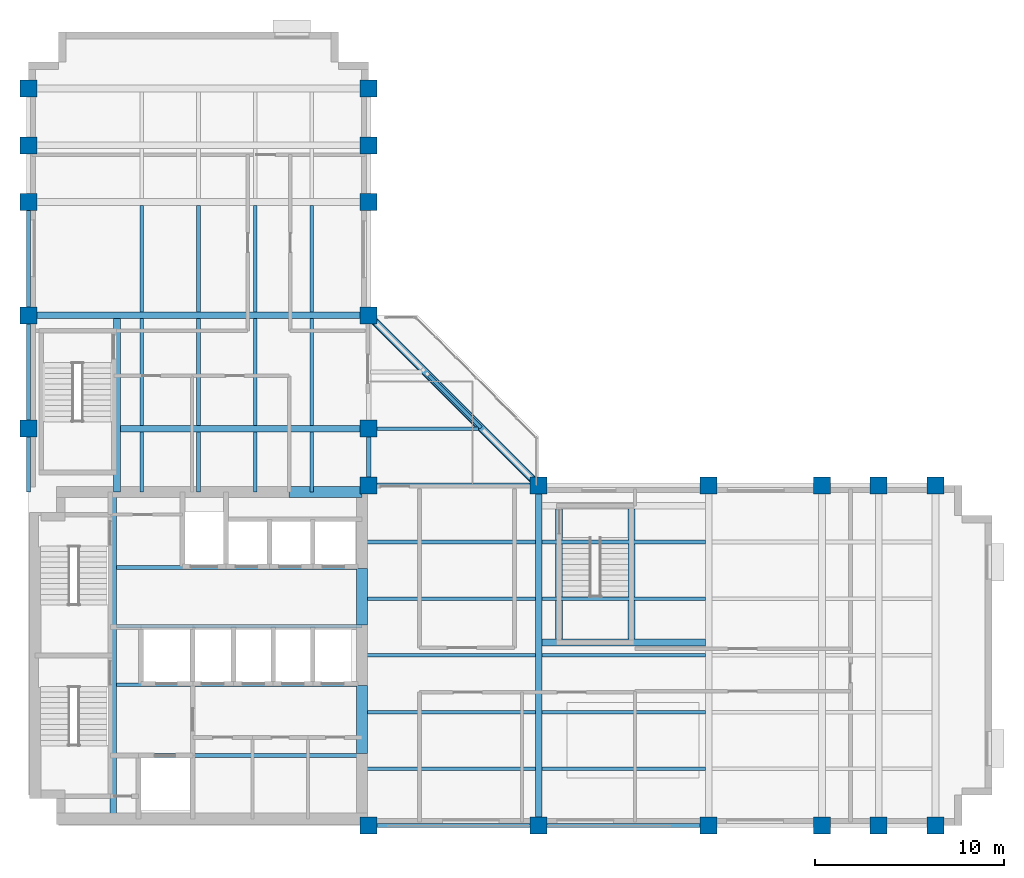
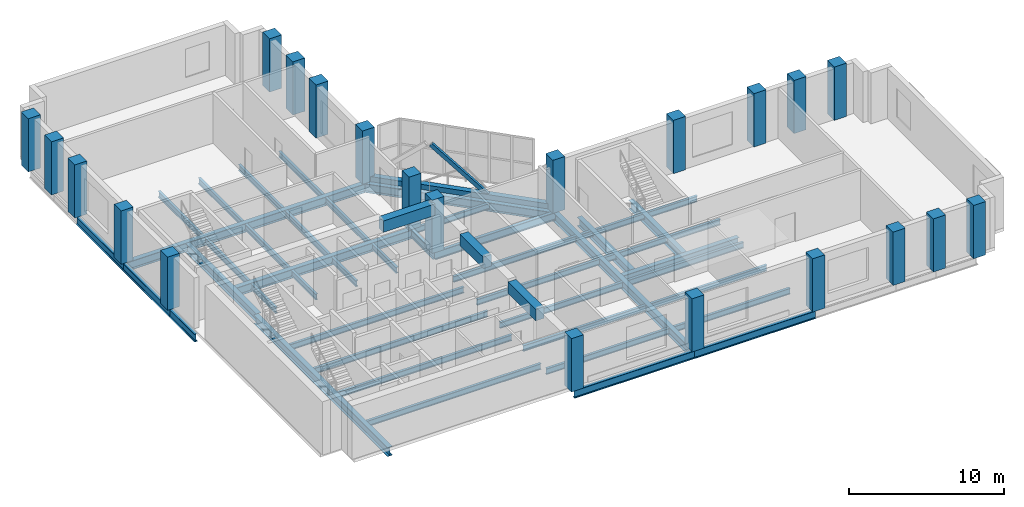
# One storey, part 1 of 9: 46 beams, 22 columns, 2 members.
"""IFC4 building model written with IfcOpenShell, lengths in metres."""

from ifc_helpers import new_model, si_unit, direction, frame, origin, origin_2d, place, context, subcontext, project, spatial, rectangle, hollow_rectangle, i_section, extrude, material, material_profile, profile_set, type_object, element, save


model = new_model("IFC4")

# Units and contexts
model_context = context("Model", 3, precision=1e-05, world=origin(), true_north=direction((0.0, 1.0)))
body_context = subcontext(model_context, "Body", "Model", "MODEL_VIEW")
ifc_project = project(units=[si_unit("LENGTHUNIT", "METRE"), si_unit("AREAUNIT", "SQUARE_METRE"), si_unit("VOLUMEUNIT", "CUBIC_METRE"), si_unit("PLANEANGLEUNIT", "RADIAN"), si_unit("MASSUNIT", "GRAM", prefix="KILO")], contexts=[model_context])

# Site, building, storey
site_placement = place(None, origin())
site = spatial("IfcSite", under=ifc_project, at=site_placement, CompositionType="ELEMENT")
building_placement = place(site_placement, origin())
building = spatial("IfcBuilding", under=site, at=building_placement, Name="Mawjdan Bourse Tower", CompositionType="ELEMENT")
storey_placement = place(building_placement, frame((0.0, 0.0, 160.199951171875)))
storey = spatial("IfcBuildingStorey", under=building, at=storey_placement, Name="L38", CompositionType="ELEMENT", Elevation=160.199951171875)

# Columns
ifc_material_1 = material(Name="Concrete C70/85", Category="concrete")
ifc_material_profile_1 = material_profile(ifc_material_1, rectangle(XDim=0.89990234375, YDim=0.89990234375, at=origin_2d()), Name="RC900X900")
ifc_profile_set_1 = profile_set([ifc_material_profile_1], Name="Concrete C70/85")
column_type = type_object("IfcColumnType", Name="COL-RC900X900", PredefinedType="COLUMN", material=ifc_profile_set_1)
for number, where, z_axis, x_axis, name in (
    (1, (24.0, 3.0, 0.0), (0.0, 0.0, 1.0), (1.0, 0.0, 0.0), "L38 Structural Column C-X240-Y30"),
    (2, (24.0, 21.0, 0.0), (0.0, 0.0, 1.0), (1.0, 0.0, 0.0), "L38 Structural Column C-X240-Y210"),
    (3, (33.0, 3.0, 0.0), (0.0, 0.0, 1.0), (1.0, 0.0, 0.0), "L38 Structural Column C-X330-Y30"),
    (4, (33.0, 21.0, 0.0), (0.0, 0.0, 1.0), (1.0, 0.0, 0.0), "L38 Structural Column C-X330-Y210"),
    (5, (42.0, 3.0, 0.0), (0.0, 0.0, 1.0), (1.0, 0.0, 0.0), "L38 Structural Column C-X420-Y30"),
    (6, (42.0, 21.0, 0.0), (0.0, 0.0, 1.0), (1.0, 0.0, 0.0), "L38 Structural Column C-X420-Y210"),
    (7, (48.0, 3.0, 0.0), (0.0, 0.0, 1.0), (1.0, 0.0, 0.0), "L38 Structural Column C-X480-Y30"),
    (8, (48.0, 21.0, 0.0), (0.0, 0.0, 1.0), (1.0, 0.0, 0.0), "L38 Structural Column C-X480-Y210"),
    (9, (51.0, 3.0, 0.0), (0.0, 0.0, 1.0), (1.0, 0.0, 0.0), "L38 Structural Column C-X510-Y30"),
    (10, (51.0, 21.0, 0.0), (0.0, 0.0, 1.0), (1.0, 0.0, 0.0), "L38 Structural Column C-X510-Y210"),
    (11, (54.0, 3.0, 0.0), (0.0, 0.0, 1.0), (1.0, 0.0, 0.0), "L38 Structural Column C-X540-Y30"),
    (12, (54.0, 21.0, 0.0), (0.0, 0.0, 1.0), (1.0, 0.0, 0.0), "L38 Structural Column C-X540-Y210"),
    (13, (6.0, 24.0, 0.0), (0.0, 0.0, 1.0), (1.0, 0.0, 0.0), "L38 Structural Column C-X60-Y240"),
    (14, (24.0, 24.0, 0.0), (0.0, 0.0, 1.0), (1.0, 0.0, 0.0), "L38 Structural Column C-X240-Y240"),
    (15, (6.0, 30.0, 0.0), (0.0, 0.0, 1.0), (1.0, 0.0, 0.0), "L38 Structural Column C-X60-Y300"),
    (16, (24.0, 30.0, 0.0), (0.0, 0.0, 1.0), (1.0, 0.0, 0.0), "L38 Structural Column C-X240-Y300"),
    (17, (6.0, 36.0, 0.0), (0.0, 0.0, 1.0), (1.0, 0.0, 0.0), "L38 Structural Column C-X60-Y360"),
    (18, (24.0, 36.0, 0.0), (0.0, 0.0, 1.0), (1.0, 0.0, 0.0), "L38 Structural Column C-X240-Y360"),
    (19, (6.0, 39.0, 0.0), (0.0, 0.0, 1.0), (1.0, 0.0, 0.0), "L38 Structural Column C-X60-Y390"),
    (20, (24.0, 39.0, 0.0), (0.0, 0.0, 1.0), (1.0, 0.0, 0.0), "L38 Structural Column C-X240-Y390"),
    (21, (6.0, 42.0, 0.0), (0.0, 0.0, 1.0), (1.0, 0.0, 0.0), "L38 Structural Column C-X60-Y420"),
    (22, (24.0, 42.0, 0.0), (0.0, 0.0, 1.0), (1.0, 0.0, 0.0), "L38 Structural Column C-X240-Y420"),
):
    element("IfcColumn", number, at=place(storey_placement, frame(where, z_axis=z_axis, x_axis=x_axis)), inside=storey, type_object=column_type, Name=name, PredefinedType="COLUMN", context=body_context, shape_type="SweptSolid", body=[
        extrude(rectangle(XDim=0.89990234375, YDim=0.89990234375, at=origin_2d()), origin(), (0.0, 0.0, 1.0), 4.199951171875),
    ])

# Member
ifc_material_2 = material(Name="Structural Steel S460", Category="steel")
ifc_material_profile_2 = material_profile(ifc_material_2, hollow_rectangle(XDim=0.199951171875, YDim=0.300048828125, WallThickness=0.012451171875, at=origin_2d()), Name="HSS300X200X12.5")
ifc_profile_set_2 = profile_set([ifc_material_profile_2], Name="Structural Steel S460")
member_type_1 = type_object("IfcMemberType", Name="BRC-HSS300X200X12.5", PredefinedType="BRACE", material=ifc_profile_set_2)
member_1_placement = place(storey_placement, frame((27.1201171875, 26.8798828125, 3.550048828125), z_axis=(0.536552253275, -0.536552253275, -0.651324311699), x_axis=(0.707106781187, 0.707106781187, 0.0)))
element("IfcMember", 23, at=member_1_placement, inside=storey, type_object=member_type_1, Name="L38 Atrium Sky Bridge Truss Diagonal 2", PredefinedType="BRACE", context=body_context, shape_type="SweptSolid", body=[
    extrude(hollow_rectangle(XDim=0.199951171875, YDim=0.300048828125, WallThickness=0.012451171875, at=origin_2d()), origin(), (0.0, 0.0, 1.0), 5.1435546875),
])

# Beam
ifc_material_3 = material(Name="Structural Steel S355", Category="steel")
ifc_material_profile_3 = material_profile(ifc_material_3, i_section(OverallWidth=0.35498046875, OverallDepth=0.696044921875, WebThickness=0.015380859375, FlangeThickness=0.02490234375, FilletRadius=0.019775390625, at=origin_2d()), Name="W27X146")
ifc_profile_set_3 = profile_set([ifc_material_profile_3], Name="Structural Steel S355")
beam_type_1 = type_object("IfcBeamType", Name="BRG-GRD-W27X146", PredefinedType="BEAM", material=ifc_profile_set_3)
beam_1_placement = place(storey_placement, frame((24.0, 30.0, -0.597900390625), z_axis=(0.707106781187, -0.707106781187, 0.0), x_axis=(0.707106781187, 0.707106781187, 0.0)))
element("IfcBeam", 24, at=beam_1_placement, inside=storey, type_object=beam_type_1, Name="L38 Atrium Sky Bridge Diagonal Girder 086", PredefinedType="BEAM", context=body_context, shape_type="SweptSolid", body=[
    extrude(i_section(OverallWidth=0.35498046875, OverallDepth=0.696044921875, WebThickness=0.015380859375, FlangeThickness=0.02490234375, FilletRadius=0.019775390625, at=origin_2d()), origin(), (0.0, 0.0, 1.0), 12.72802734375),
])

# Member
ifc_material_profile_4 = material_profile(ifc_material_2, hollow_rectangle(XDim=0.39990234375, YDim=0.39990234375, WallThickness=0.01611328125, at=origin_2d()), Name="HSS400X400X16")
ifc_profile_set_4 = profile_set([ifc_material_profile_4], Name="Structural Steel S460")
member_type_2 = type_object("IfcMemberType", Name="CHD-HSS400X400X16", PredefinedType="CHORD", material=ifc_profile_set_4)
member_2_placement = place(storey_placement, frame((24.0, 30.0, 0.199951171875), z_axis=(0.707106781187, -0.707106781187, 0.0), x_axis=(0.707106781187, 0.707106781187, 0.0)))
element("IfcMember", 25, at=member_2_placement, inside=storey, type_object=member_type_2, Name="L38 Atrium Sky Bridge Truss Bottom Chord", PredefinedType="CHORD", context=body_context, shape_type="SweptSolid", body=[
    extrude(hollow_rectangle(XDim=0.39990234375, YDim=0.39990234375, WallThickness=0.01611328125, at=origin_2d()), origin(), (0.0, 0.0, 1.0), 12.72802734375),
])

# Beams
ifc_material_profile_5 = material_profile(ifc_material_3, i_section(OverallWidth=0.35498046875, OverallDepth=0.696044921875, WebThickness=0.015380859375, FlangeThickness=0.02490234375, FilletRadius=0.019775390625, at=origin_2d()), Name="W27X146")
ifc_profile_set_5 = profile_set([ifc_material_profile_5], Name="Structural Steel S355")
beam_type_2 = type_object("IfcBeamType", Name="GRD-W27X146", PredefinedType="BEAM", material=ifc_profile_set_5)
beam_2_placement = place(storey_placement, frame((10.47998046875, 3.35009765625, -0.597900390625), z_axis=(0.0, 1.0, 0.0), x_axis=(-1.0, 0.0, 0.0)))
element("IfcBeam", 26, at=beam_2_placement, inside=storey, type_object=beam_type_2, Name="L38 Core Stair Trimmer Girder 001", PredefinedType="BEAM", context=body_context, shape_type="SweptSolid", body=[
    extrude(i_section(OverallWidth=0.35498046875, OverallDepth=0.696044921875, WebThickness=0.015380859375, FlangeThickness=0.02490234375, FilletRadius=0.019775390625, at=origin_2d()), origin(), (0.0, 0.0, 1.0), 17.2998046875),
])
beam_3_placement = place(storey_placement, frame((33.0, 3.0, -0.597900390625), z_axis=(0.0, 1.0, 0.0), x_axis=(-1.0, 0.0, 0.0)))
element("IfcBeam", 27, at=beam_3_placement, inside=storey, type_object=beam_type_2, Name="L38 East Wing Clear-Span Girder 002", PredefinedType="BEAM", context=body_context, shape_type="SweptSolid", body=[
    extrude(i_section(OverallWidth=0.35498046875, OverallDepth=0.696044921875, WebThickness=0.015380859375, FlangeThickness=0.02490234375, FilletRadius=0.019775390625, at=origin_2d()), origin(), (0.0, 0.0, 1.0), 18.0),
])
beam_4_placement = place(storey_placement, frame((33.175537109375, 12.679931640625, -0.597900390625), z_axis=(1.0, 0.0, 0.0), x_axis=(0.0, 1.0, 0.0)))
element("IfcBeam", 28, at=beam_4_placement, inside=storey, type_object=beam_type_2, Name="L38 Feature Stair South Trimmer 042", PredefinedType="BEAM", context=body_context, shape_type="SweptSolid", body=[
    extrude(i_section(OverallWidth=0.35498046875, OverallDepth=0.696044921875, WebThickness=0.015380859375, FlangeThickness=0.02490234375, FilletRadius=0.019775390625, at=origin_2d()), origin(), (0.0, 0.0, 1.0), 8.64892578125),
])
for number, where, z_axis, x_axis, name in (
    (29, (34.080078125, 12.85546875, -0.597900390625), (0.0, 1.0, 0.0), (-1.0, 0.0, 0.0), "L38 Feature Stair West Trimmer 044"),
    (30, (37.919921875, 12.85546875, -0.597900390625), (0.0, 1.0, 0.0), (-1.0, 0.0, 0.0), "L38 Feature Stair East Trimmer 045"),
):
    element("IfcBeam", number, at=place(storey_placement, frame(where, z_axis=z_axis, x_axis=x_axis)), inside=storey, type_object=beam_type_2, Name=name, PredefinedType="BEAM", context=body_context, shape_type="SweptSolid", body=[
        extrude(i_section(OverallWidth=0.35498046875, OverallDepth=0.696044921875, WebThickness=0.015380859375, FlangeThickness=0.02490234375, FilletRadius=0.019775390625, at=origin_2d()), origin(), (0.0, 0.0, 1.0), 6.888916015625),
    ])
beam_5_placement = place(storey_placement, frame((10.679931640625, 20.64990234375, -0.597900390625), z_axis=(0.0, 1.0, 0.0), x_axis=(-1.0, 0.0, 0.0)))
element("IfcBeam", 31, at=beam_5_placement, inside=storey, type_object=beam_type_2, Name="L38 North Wing Stair Trimmer Girder 050", PredefinedType="BEAM", context=body_context, shape_type="SweptSolid", body=[
    extrude(i_section(OverallWidth=0.35498046875, OverallDepth=0.696044921875, WebThickness=0.015380859375, FlangeThickness=0.02490234375, FilletRadius=0.019775390625, at=origin_2d()), origin(), (0.0, 0.0, 1.0), 9.174560546875),
])
beam_6_placement = place(storey_placement, frame((10.85546875, 24.0, -0.597900390625), z_axis=(1.0, 0.0, 0.0), x_axis=(0.0, 1.0, 0.0)))
element("IfcBeam", 32, at=beam_6_placement, inside=storey, type_object=beam_type_2, Name="L38 North Wing Clear-Span Girder 051", PredefinedType="BEAM", context=body_context, shape_type="SweptSolid", body=[
    extrude(i_section(OverallWidth=0.35498046875, OverallDepth=0.696044921875, WebThickness=0.015380859375, FlangeThickness=0.02490234375, FilletRadius=0.019775390625, at=origin_2d()), origin(), (0.0, 0.0, 1.0), 13.14453125),
])
beam_7_placement = place(storey_placement, frame((6.0, 30.0, -0.597900390625), z_axis=(1.0, 0.0, 0.0), x_axis=(0.0, 1.0, 0.0)))
element("IfcBeam", 33, at=beam_7_placement, inside=storey, type_object=beam_type_2, Name="L38 North Wing Clear-Span Girder 052", PredefinedType="BEAM", context=body_context, shape_type="SweptSolid", body=[
    extrude(i_section(OverallWidth=0.35498046875, OverallDepth=0.696044921875, WebThickness=0.015380859375, FlangeThickness=0.02490234375, FilletRadius=0.019775390625, at=origin_2d()), origin(), (0.0, 0.0, 1.0), 18.0),
])
ifc_material_profile_6 = material_profile(ifc_material_3, i_section(OverallWidth=0.19189453125, OverallDepth=0.462890625, WebThickness=0.010498046875, FlangeThickness=0.017578125, FilletRadius=0.01416015625, at=origin_2d()), Name="W18X60")
ifc_profile_set_6 = profile_set([ifc_material_profile_6], Name="Structural Steel S355")
beam_type_3 = type_object("IfcBeamType", Name="JST-W18X60", PredefinedType="JOIST", material=ifc_profile_set_6)
beam_8_placement = place(storey_placement, frame((23.64990234375, 6.0, -0.4814453125), z_axis=(1.0, 0.0, 0.0), x_axis=(0.0, 1.0, 0.0)))
element("IfcBeam", 34, at=beam_8_placement, inside=storey, type_object=beam_type_3, Name="L38 East Wing Composite Joist 017", PredefinedType="JOIST", context=body_context, shape_type="SweptSolid", body=[
    extrude(i_section(OverallWidth=0.19189453125, OverallDepth=0.462890625, WebThickness=0.010498046875, FlangeThickness=0.017578125, FilletRadius=0.01416015625, at=origin_2d()), origin(), (0.0, 0.0, 1.0), 9.174560546875),
])
beam_9_placement = place(storey_placement, frame((33.175537109375, 6.0, -0.4814453125), z_axis=(1.0, 0.0, 0.0), x_axis=(0.0, 1.0, 0.0)))
element("IfcBeam", 35, at=beam_9_placement, inside=storey, type_object=beam_type_3, Name="L38 East Wing Composite Joist 018", PredefinedType="JOIST", context=body_context, shape_type="SweptSolid", body=[
    extrude(i_section(OverallWidth=0.19189453125, OverallDepth=0.462890625, WebThickness=0.010498046875, FlangeThickness=0.017578125, FilletRadius=0.01416015625, at=origin_2d()), origin(), (0.0, 0.0, 1.0), 8.64892578125),
])
beam_10_placement = place(storey_placement, frame((23.64990234375, 9.0, -0.4814453125), z_axis=(1.0, 0.0, 0.0), x_axis=(0.0, 1.0, 0.0)))
element("IfcBeam", 36, at=beam_10_placement, inside=storey, type_object=beam_type_3, Name="L38 East Wing Composite Joist 022", PredefinedType="JOIST", context=body_context, shape_type="SweptSolid", body=[
    extrude(i_section(OverallWidth=0.19189453125, OverallDepth=0.462890625, WebThickness=0.010498046875, FlangeThickness=0.017578125, FilletRadius=0.01416015625, at=origin_2d()), origin(), (0.0, 0.0, 1.0), 9.174560546875),
])
beam_11_placement = place(storey_placement, frame((33.175537109375, 9.0, -0.4814453125), z_axis=(1.0, 0.0, 0.0), x_axis=(0.0, 1.0, 0.0)))
element("IfcBeam", 37, at=beam_11_placement, inside=storey, type_object=beam_type_3, Name="L38 East Wing Composite Joist 023", PredefinedType="JOIST", context=body_context, shape_type="SweptSolid", body=[
    extrude(i_section(OverallWidth=0.19189453125, OverallDepth=0.462890625, WebThickness=0.010498046875, FlangeThickness=0.017578125, FilletRadius=0.01416015625, at=origin_2d()), origin(), (0.0, 0.0, 1.0), 8.64892578125),
])
beam_12_placement = place(storey_placement, frame((23.64990234375, 12.0, -0.4814453125), z_axis=(1.0, 0.0, 0.0), x_axis=(0.0, 1.0, 0.0)))
element("IfcBeam", 38, at=beam_12_placement, inside=storey, type_object=beam_type_3, Name="L38 East Wing Composite Joist 027", PredefinedType="JOIST", context=body_context, shape_type="SweptSolid", body=[
    extrude(i_section(OverallWidth=0.19189453125, OverallDepth=0.462890625, WebThickness=0.010498046875, FlangeThickness=0.017578125, FilletRadius=0.01416015625, at=origin_2d()), origin(), (0.0, 0.0, 1.0), 9.174560546875),
])
beam_13_placement = place(storey_placement, frame((33.175537109375, 12.0, -0.4814453125), z_axis=(1.0, 0.0, 0.0), x_axis=(0.0, 1.0, 0.0)))
element("IfcBeam", 39, at=beam_13_placement, inside=storey, type_object=beam_type_3, Name="L38 East Wing Composite Joist 028", PredefinedType="JOIST", context=body_context, shape_type="SweptSolid", body=[
    extrude(i_section(OverallWidth=0.19189453125, OverallDepth=0.462890625, WebThickness=0.010498046875, FlangeThickness=0.017578125, FilletRadius=0.01416015625, at=origin_2d()), origin(), (0.0, 0.0, 1.0), 8.64892578125),
])
beam_14_placement = place(storey_placement, frame((23.64990234375, 15.0, -0.4814453125), z_axis=(1.0, 0.0, 0.0), x_axis=(0.0, 1.0, 0.0)))
element("IfcBeam", 40, at=beam_14_placement, inside=storey, type_object=beam_type_3, Name="L38 East Wing Composite Joist 032", PredefinedType="JOIST", context=body_context, shape_type="SweptSolid", body=[
    extrude(i_section(OverallWidth=0.19189453125, OverallDepth=0.462890625, WebThickness=0.010498046875, FlangeThickness=0.017578125, FilletRadius=0.01416015625, at=origin_2d()), origin(), (0.0, 0.0, 1.0), 9.174560546875),
])
beam_15_placement = place(storey_placement, frame((33.175537109375, 15.0, -0.4814453125), z_axis=(1.0, 0.0, 0.0), x_axis=(0.0, 1.0, 0.0)))
element("IfcBeam", 41, at=beam_15_placement, inside=storey, type_object=beam_type_3, Name="L38 East Wing Composite Joist 033", PredefinedType="JOIST", context=body_context, shape_type="SweptSolid", body=[
    extrude(i_section(OverallWidth=0.19189453125, OverallDepth=0.462890625, WebThickness=0.010498046875, FlangeThickness=0.017578125, FilletRadius=0.01416015625, at=origin_2d()), origin(), (0.0, 0.0, 1.0), 8.64892578125),
])
beam_16_placement = place(storey_placement, frame((23.64990234375, 18.0, -0.4814453125), z_axis=(1.0, 0.0, 0.0), x_axis=(0.0, 1.0, 0.0)))
element("IfcBeam", 42, at=beam_16_placement, inside=storey, type_object=beam_type_3, Name="L38 East Wing Composite Joist 037", PredefinedType="JOIST", context=body_context, shape_type="SweptSolid", body=[
    extrude(i_section(OverallWidth=0.19189453125, OverallDepth=0.462890625, WebThickness=0.010498046875, FlangeThickness=0.017578125, FilletRadius=0.01416015625, at=origin_2d()), origin(), (0.0, 0.0, 1.0), 9.174560546875),
])
beam_17_placement = place(storey_placement, frame((33.175537109375, 18.0, -0.4814453125), z_axis=(1.0, 0.0, 0.0), x_axis=(0.0, 1.0, 0.0)))
element("IfcBeam", 43, at=beam_17_placement, inside=storey, type_object=beam_type_3, Name="L38 East Wing Composite Joist 038", PredefinedType="JOIST", context=body_context, shape_type="SweptSolid", body=[
    extrude(i_section(OverallWidth=0.19189453125, OverallDepth=0.462890625, WebThickness=0.010498046875, FlangeThickness=0.017578125, FilletRadius=0.01416015625, at=origin_2d()), origin(), (0.0, 0.0, 1.0), 8.64892578125),
])
for number, where, z_axis, x_axis, name in (
    (44, (10.655517578125, 6.699951171875, -0.4814453125), (1.0, 0.0, 0.0), (0.0, 1.0, 0.0), "L38 Core Floor Joist 046"),
    (45, (10.655517578125, 10.449951171875, -0.4814453125), (1.0, 0.0, 0.0), (0.0, 1.0, 0.0), "L38 Core Floor Joist 047"),
    (46, (10.655517578125, 13.550048828125, -0.4814453125), (1.0, 0.0, 0.0), (0.0, 1.0, 0.0), "L38 Core Floor Joist 048"),
    (47, (10.655517578125, 16.64990234375, -0.4814453125), (1.0, 0.0, 0.0), (0.0, 1.0, 0.0), "L38 Core Floor Joist 049"),
):
    element("IfcBeam", number, at=place(storey_placement, frame(where, z_axis=z_axis, x_axis=x_axis)), inside=storey, type_object=beam_type_3, Name=name, PredefinedType="JOIST", context=body_context, shape_type="SweptSolid", body=[
        extrude(i_section(OverallWidth=0.19189453125, OverallDepth=0.462890625, WebThickness=0.010498046875, FlangeThickness=0.017578125, FilletRadius=0.01416015625, at=origin_2d()), origin(), (0.0, 0.0, 1.0), 12.994384765625),
    ])
beam_18_placement = place(storey_placement, frame((12.0, 20.64990234375, -0.4814453125), z_axis=(0.0, 1.0, 0.0), x_axis=(-1.0, 0.0, 0.0)))
element("IfcBeam", 48, at=beam_18_placement, inside=storey, type_object=beam_type_3, Name="L38 North Wing Composite Joist 066", PredefinedType="JOIST", context=body_context, shape_type="SweptSolid", body=[
    extrude(i_section(OverallWidth=0.19189453125, OverallDepth=0.462890625, WebThickness=0.010498046875, FlangeThickness=0.017578125, FilletRadius=0.01416015625, at=origin_2d()), origin(), (0.0, 0.0, 1.0), 3.174560546875),
])
for number, where, z_axis, x_axis, name in (
    (49, (12.0, 24.175537109375, -0.4814453125), (0.0, 1.0, 0.0), (-1.0, 0.0, 0.0), "L38 North Wing Composite Joist 067"),
    (50, (12.0, 30.175537109375, -0.4814453125), (0.0, 1.0, 0.0), (-1.0, 0.0, 0.0), "L38 North Wing Composite Joist 068"),
):
    element("IfcBeam", number, at=place(storey_placement, frame(where, z_axis=z_axis, x_axis=x_axis)), inside=storey, type_object=beam_type_3, Name=name, PredefinedType="JOIST", context=body_context, shape_type="SweptSolid", body=[
        extrude(i_section(OverallWidth=0.19189453125, OverallDepth=0.462890625, WebThickness=0.010498046875, FlangeThickness=0.017578125, FilletRadius=0.01416015625, at=origin_2d()), origin(), (0.0, 0.0, 1.0), 5.64892578125),
    ])
beam_19_placement = place(storey_placement, frame((15.0, 20.64990234375, -0.4814453125), z_axis=(0.0, 1.0, 0.0), x_axis=(-1.0, 0.0, 0.0)))
element("IfcBeam", 51, at=beam_19_placement, inside=storey, type_object=beam_type_3, Name="L38 North Wing Composite Joist 071", PredefinedType="JOIST", context=body_context, shape_type="SweptSolid", body=[
    extrude(i_section(OverallWidth=0.19189453125, OverallDepth=0.462890625, WebThickness=0.010498046875, FlangeThickness=0.017578125, FilletRadius=0.01416015625, at=origin_2d()), origin(), (0.0, 0.0, 1.0), 3.174560546875),
])
for number, where, z_axis, x_axis, name in (
    (52, (15.0, 24.175537109375, -0.4814453125), (0.0, 1.0, 0.0), (-1.0, 0.0, 0.0), "L38 North Wing Composite Joist 072"),
    (53, (15.0, 30.175537109375, -0.4814453125), (0.0, 1.0, 0.0), (-1.0, 0.0, 0.0), "L38 North Wing Composite Joist 073"),
):
    element("IfcBeam", number, at=place(storey_placement, frame(where, z_axis=z_axis, x_axis=x_axis)), inside=storey, type_object=beam_type_3, Name=name, PredefinedType="JOIST", context=body_context, shape_type="SweptSolid", body=[
        extrude(i_section(OverallWidth=0.19189453125, OverallDepth=0.462890625, WebThickness=0.010498046875, FlangeThickness=0.017578125, FilletRadius=0.01416015625, at=origin_2d()), origin(), (0.0, 0.0, 1.0), 5.64892578125),
    ])
beam_20_placement = place(storey_placement, frame((18.0, 20.64990234375, -0.4814453125), z_axis=(0.0, 1.0, 0.0), x_axis=(-1.0, 0.0, 0.0)))
element("IfcBeam", 54, at=beam_20_placement, inside=storey, type_object=beam_type_3, Name="L38 North Wing Composite Joist 076", PredefinedType="JOIST", context=body_context, shape_type="SweptSolid", body=[
    extrude(i_section(OverallWidth=0.19189453125, OverallDepth=0.462890625, WebThickness=0.010498046875, FlangeThickness=0.017578125, FilletRadius=0.01416015625, at=origin_2d()), origin(), (0.0, 0.0, 1.0), 3.174560546875),
])
for number, where, z_axis, x_axis, name in (
    (55, (18.0, 24.175537109375, -0.4814453125), (0.0, 1.0, 0.0), (-1.0, 0.0, 0.0), "L38 North Wing Composite Joist 077"),
    (56, (18.0, 30.175537109375, -0.4814453125), (0.0, 1.0, 0.0), (-1.0, 0.0, 0.0), "L38 North Wing Composite Joist 078"),
):
    element("IfcBeam", number, at=place(storey_placement, frame(where, z_axis=z_axis, x_axis=x_axis)), inside=storey, type_object=beam_type_3, Name=name, PredefinedType="JOIST", context=body_context, shape_type="SweptSolid", body=[
        extrude(i_section(OverallWidth=0.19189453125, OverallDepth=0.462890625, WebThickness=0.010498046875, FlangeThickness=0.017578125, FilletRadius=0.01416015625, at=origin_2d()), origin(), (0.0, 0.0, 1.0), 5.64892578125),
    ])
beam_21_placement = place(storey_placement, frame((21.0, 20.64990234375, -0.4814453125), z_axis=(0.0, 1.0, 0.0), x_axis=(-1.0, 0.0, 0.0)))
element("IfcBeam", 57, at=beam_21_placement, inside=storey, type_object=beam_type_3, Name="L38 North Wing Composite Joist 081", PredefinedType="JOIST", context=body_context, shape_type="SweptSolid", body=[
    extrude(i_section(OverallWidth=0.19189453125, OverallDepth=0.462890625, WebThickness=0.010498046875, FlangeThickness=0.017578125, FilletRadius=0.01416015625, at=origin_2d()), origin(), (0.0, 0.0, 1.0), 3.174560546875),
])
for number, where, z_axis, x_axis, name in (
    (58, (21.0, 24.175537109375, -0.4814453125), (0.0, 1.0, 0.0), (-1.0, 0.0, 0.0), "L38 North Wing Composite Joist 082"),
    (59, (21.0, 30.175537109375, -0.4814453125), (0.0, 1.0, 0.0), (-1.0, 0.0, 0.0), "L38 North Wing Composite Joist 083"),
):
    element("IfcBeam", number, at=place(storey_placement, frame(where, z_axis=z_axis, x_axis=x_axis)), inside=storey, type_object=beam_type_3, Name=name, PredefinedType="JOIST", context=body_context, shape_type="SweptSolid", body=[
        extrude(i_section(OverallWidth=0.19189453125, OverallDepth=0.462890625, WebThickness=0.010498046875, FlangeThickness=0.017578125, FilletRadius=0.01416015625, at=origin_2d()), origin(), (0.0, 0.0, 1.0), 5.64892578125),
    ])
beam_22_placement = place(storey_placement, frame((24.113037109375, 24.0, -0.4814453125), z_axis=(1.0, 0.0, 0.0), x_axis=(0.0, 1.0, 0.0)))
element("IfcBeam", 60, at=beam_22_placement, inside=storey, type_object=beam_type_3, Name="L38 Atrium Sky Bridge Deck Joist 087", PredefinedType="JOIST", context=body_context, shape_type="SweptSolid", body=[
    extrude(i_section(OverallWidth=0.19189453125, OverallDepth=0.462890625, WebThickness=0.010498046875, FlangeThickness=0.017578125, FilletRadius=0.01416015625, at=origin_2d()), origin(), (0.0, 0.0, 1.0), 5.71142578125),
])
ifc_material_profile_7 = material_profile(ifc_material_1, rectangle(XDim=0.60009765625, YDim=0.89990234375, at=origin_2d()), Name="RCB600X900")
ifc_profile_set_7 = profile_set([ifc_material_profile_7], Name="Concrete C70/85")
beam_type_4 = type_object("IfcBeamType", Name="LNT-RCB600X900", PredefinedType="LINTEL", material=ifc_profile_set_7)
beam_23_placement = place(storey_placement, frame((23.64990234375, 6.800048828125, 3.550048828125), z_axis=(0.0, 1.0, 0.0), x_axis=(-1.0, 0.0, 0.0)))
element("IfcBeam", 61, at=beam_23_placement, inside=storey, type_object=beam_type_4, Name="L38 Coupled Core Lintel CB-E1", PredefinedType="LINTEL", context=body_context, shape_type="SweptSolid", body=[
    extrude(rectangle(XDim=0.60009765625, YDim=0.89990234375, at=origin_2d()), origin(), (0.0, 0.0, 1.0), 3.599853515625),
])
beam_24_placement = place(storey_placement, frame((23.64990234375, 13.60009765625, 3.550048828125), z_axis=(0.0, 1.0, 0.0), x_axis=(-1.0, 0.0, 0.0)))
element("IfcBeam", 62, at=beam_24_placement, inside=storey, type_object=beam_type_4, Name="L38 Coupled Core Lintel CB-E2", PredefinedType="LINTEL", context=body_context, shape_type="SweptSolid", body=[
    extrude(rectangle(XDim=0.60009765625, YDim=0.89990234375, at=origin_2d()), origin(), (0.0, 0.0, 1.0), 3.0),
])
beam_25_placement = place(storey_placement, frame((19.800048828125, 20.64990234375, 3.550048828125), z_axis=(1.0, 0.0, 0.0), x_axis=(0.0, 1.0, 0.0)))
element("IfcBeam", 63, at=beam_25_placement, inside=storey, type_object=beam_type_4, Name="L38 Coupled Core Lintel CB-N1", PredefinedType="LINTEL", context=body_context, shape_type="SweptSolid", body=[
    extrude(rectangle(XDim=0.60009765625, YDim=0.89990234375, at=origin_2d()), origin(), (0.0, 0.0, 1.0), 3.849853515625),
])
ifc_material_profile_8 = material_profile(ifc_material_3, i_section(OverallWidth=0.22998046875, OverallDepth=0.616943359375, WebThickness=0.01318359375, FlangeThickness=0.022216796875, FilletRadius=0.017822265625, at=origin_2d()), Name="W24X94")
ifc_profile_set_8 = profile_set([ifc_material_profile_8], Name="Structural Steel S355")
beam_type_5 = type_object("IfcBeamType", Name="SPN-W24X94", PredefinedType="SPANDREL", material=ifc_profile_set_8)
for number, where, z_axis, x_axis, name in (
    (64, (24.0, 3.0, -0.558349609375), (1.0, 0.0, 0.0), (0.0, 1.0, 0.0), "L38 Perimeter Masonry-Shelf Spandrel 007"),
    (65, (33.0, 3.0, -0.558349609375), (1.0, 0.0, 0.0), (0.0, 1.0, 0.0), "L38 Perimeter Masonry-Shelf Spandrel 008"),
    (66, (24.0, 21.0, -0.558349609375), (1.0, 0.0, 0.0), (0.0, 1.0, 0.0), "L38 Sky Bridge Interface Spandrel 012"),
):
    element("IfcBeam", number, at=place(storey_placement, frame(where, z_axis=z_axis, x_axis=x_axis)), inside=storey, type_object=beam_type_5, Name=name, PredefinedType="SPANDREL", context=body_context, shape_type="SweptSolid", body=[
        extrude(i_section(OverallWidth=0.22998046875, OverallDepth=0.616943359375, WebThickness=0.01318359375, FlangeThickness=0.022216796875, FilletRadius=0.017822265625, at=origin_2d()), origin(), (0.0, 0.0, 1.0), 9.0),
    ])
beam_26_placement = place(storey_placement, frame((6.0, 20.64990234375, -0.558349609375), z_axis=(0.0, 1.0, 0.0), x_axis=(-1.0, 0.0, 0.0)))
element("IfcBeam", 67, at=beam_26_placement, inside=storey, type_object=beam_type_5, Name="L38 North Wing Spandrel 056", PredefinedType="SPANDREL", context=body_context, shape_type="SweptSolid", body=[
    extrude(i_section(OverallWidth=0.22998046875, OverallDepth=0.616943359375, WebThickness=0.01318359375, FlangeThickness=0.022216796875, FilletRadius=0.017822265625, at=origin_2d()), origin(), (0.0, 0.0, 1.0), 3.35009765625),
])
for number, where, z_axis, x_axis, name in (
    (68, (6.0, 24.0, -0.558349609375), (0.0, 1.0, 0.0), (-1.0, 0.0, 0.0), "L38 North Wing Spandrel 057"),
    (69, (6.0, 30.0, -0.558349609375), (0.0, 1.0, 0.0), (-1.0, 0.0, 0.0), "L38 North Wing Spandrel 058"),
):
    element("IfcBeam", number, at=place(storey_placement, frame(where, z_axis=z_axis, x_axis=x_axis)), inside=storey, type_object=beam_type_5, Name=name, PredefinedType="SPANDREL", context=body_context, shape_type="SweptSolid", body=[
        extrude(i_section(OverallWidth=0.22998046875, OverallDepth=0.616943359375, WebThickness=0.01318359375, FlangeThickness=0.022216796875, FilletRadius=0.017822265625, at=origin_2d()), origin(), (0.0, 0.0, 1.0), 6.0),
    ])
beam_27_placement = place(storey_placement, frame((24.0, 21.0, -0.558349609375), z_axis=(0.0, 1.0, 0.0), x_axis=(-1.0, 0.0, 0.0)))
element("IfcBeam", 70, at=beam_27_placement, inside=storey, type_object=beam_type_5, Name="L38 Sky Bridge West Interface Spandrel 061", PredefinedType="SPANDREL", context=body_context, shape_type="SweptSolid", body=[
    extrude(i_section(OverallWidth=0.22998046875, OverallDepth=0.616943359375, WebThickness=0.01318359375, FlangeThickness=0.022216796875, FilletRadius=0.017822265625, at=origin_2d()), origin(), (0.0, 0.0, 1.0), 3.0),
])

save(model, "model.ifc")
